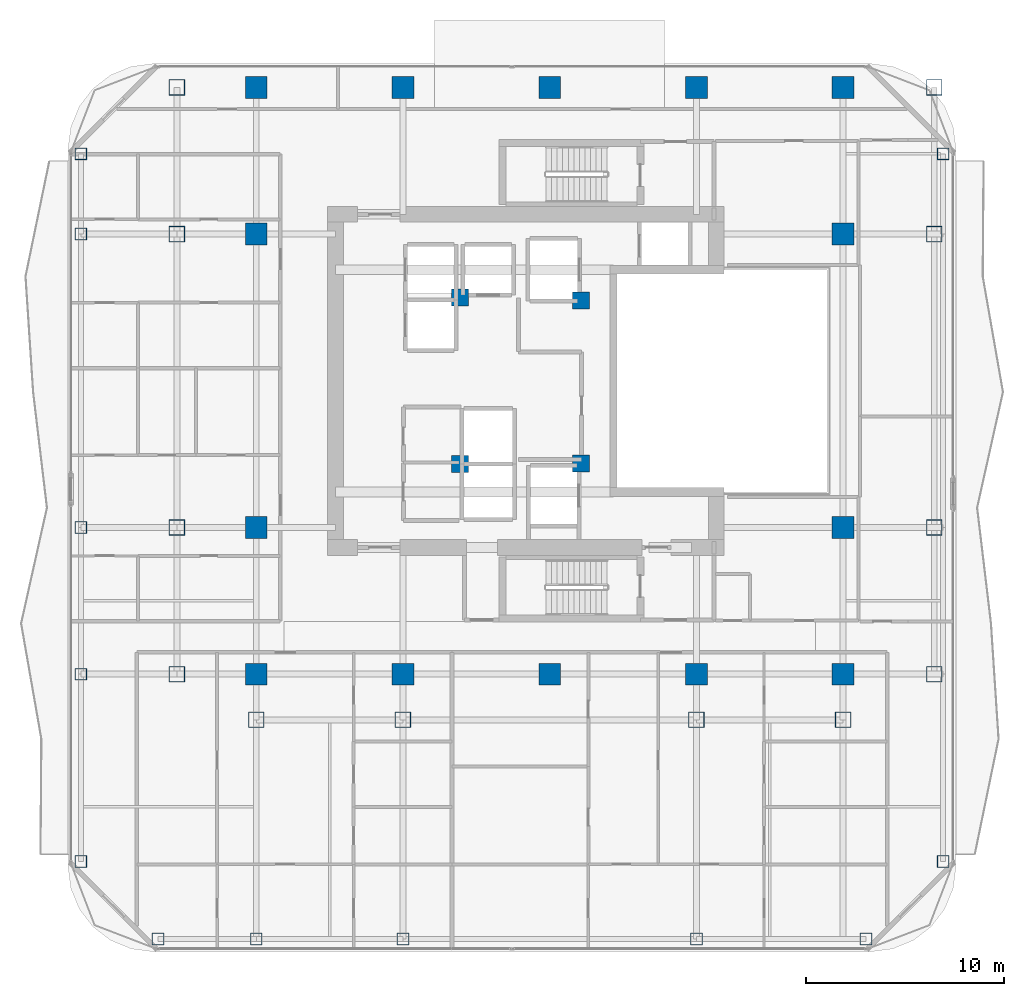
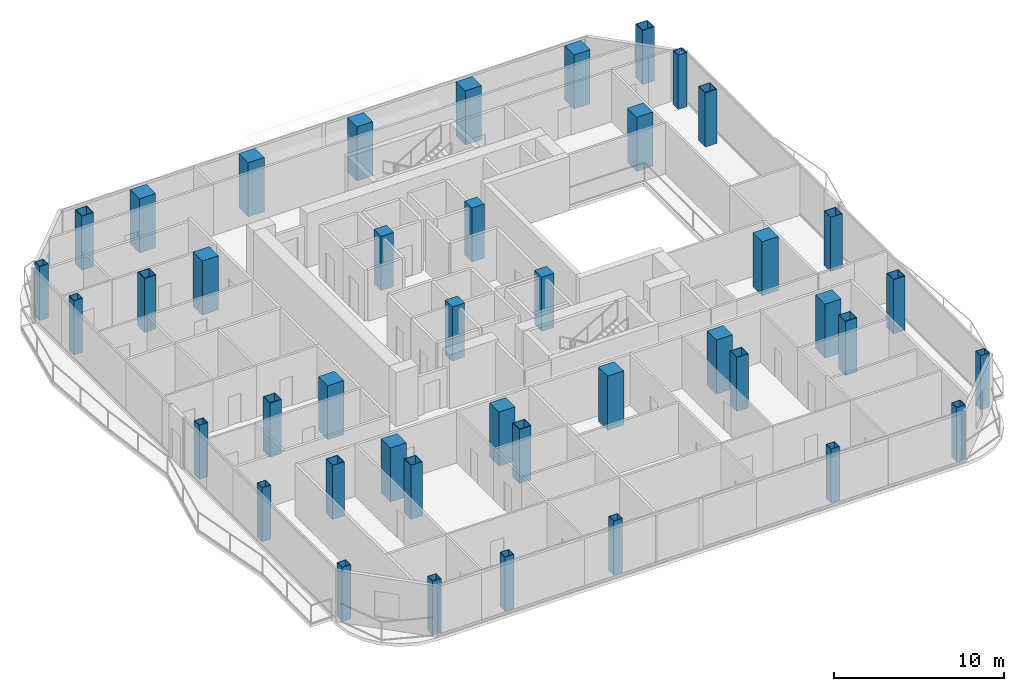
# One storey, part 1 of 23: 42 columns.
"""IFC4 building model written with IfcOpenShell, lengths in metres."""

from ifc_helpers import new_model, si_unit, direction, frame, origin, origin_2d, place, context, subcontext, project, spatial, rectangle, hollow_rectangle, extrude, material, material_profile, profile_set, type_object, element, save


model = new_model("IFC4")

# Units and contexts
model_context = context("Model", 3, precision=1e-05, world=origin(), true_north=direction((0.0, 1.0)))
body_context = subcontext(model_context, "Body", "Model", "MODEL_VIEW")
ifc_project = project(units=[si_unit("LENGTHUNIT", "METRE"), si_unit("AREAUNIT", "SQUARE_METRE"), si_unit("VOLUMEUNIT", "CUBIC_METRE"), si_unit("PLANEANGLEUNIT", "RADIAN"), si_unit("MASSUNIT", "GRAM", prefix="KILO")], contexts=[model_context])

# Site, building, storey
site_placement = place(None, origin())
site = spatial("IfcSite", under=ifc_project, at=site_placement, CompositionType="ELEMENT")
building_placement = place(site_placement, origin())
building = spatial("IfcBuilding", under=site, at=building_placement, Name="Khorvyn Point Tower", CompositionType="ELEMENT")
storey_placement = place(building_placement, frame((0.0, 0.0, 195.300048828125)))
storey = spatial("IfcBuildingStorey", under=building, at=storey_placement, Name="L48", CompositionType="ELEMENT", Elevation=195.300048828125)

# Columns
ifc_material_1 = material(Name="Concrete C40/50", Category="concrete")
ifc_material_profile_1 = material_profile(ifc_material_1, rectangle(XDim=0.85009765625, YDim=0.85009765625, at=origin_2d()))
ifc_profile_set_1 = profile_set([ifc_material_profile_1], Name="Concrete C40/50 RC850x850")
column_type_1 = type_object("IfcColumnType", Name="Concrete C40/50 Column RC850x850", PredefinedType="COLUMN", material=ifc_profile_set_1)
for number, where, z_axis, x_axis, name in (
    (1, (-4.52001953125, -4.199951171875, 0.0), (0.0, 0.0, 1.0), (1.0, 0.0, 0.0), "L48 Crown Core Spine Column 1"),
    (2, (1.580078125, -4.179931640625, 0.0), (0.0, 0.0, 1.0), (1.0, 0.0, 0.0), "L48 Crown Core Spine Column 2"),
    (3, (1.580078125, 4.050048828125, 0.0), (0.0, 0.0, 1.0), (1.0, 0.0, 0.0), "L48 Crown Core Spine Column 3"),
    (4, (-4.52001953125, 4.199951171875, 0.0), (0.0, 0.0, 1.0), (1.0, 0.0, 0.0), "L48 Crown Core Spine Column 4"),
):
    element("IfcColumn", number, at=place(storey_placement, frame(where, z_axis=z_axis, x_axis=x_axis)), inside=storey, type_object=column_type_1, Name=name, PredefinedType="COLUMN", context=body_context, shape_type="SweptSolid", body=[
        extrude(rectangle(XDim=0.85009765625, YDim=0.85009765625, at=origin_2d()), origin(), (0.0, 0.0, 1.0), 3.89990234375),
    ])
ifc_material_2 = material(Name="Concrete C45/55", Category="concrete")
ifc_material_profile_2 = material_profile(ifc_material_2, rectangle(XDim=1.10009765625, YDim=1.10009765625, at=origin_2d()))
ifc_profile_set_2 = profile_set([ifc_material_profile_2], Name="Concrete C45/55 RC1100x1100")
column_type_2 = type_object("IfcColumnType", Name="Concrete C45/55 Column RC1100x1100", PredefinedType="COLUMN", material=ifc_profile_set_2)
for number, where, z_axis, x_axis, name in (
    (5, (-14.800048828125, -14.800048828125, 0.0), (0.0, 0.0, 1.0), (1.0, 0.0, 0.0), "L48 Mega-Column MC-01"),
    (6, (-7.39990234375, -14.800048828125, 0.0), (0.0, 0.0, 1.0), (1.0, 0.0, 0.0), "L48 Mega-Column MC-02"),
    (7, (0.0, -14.800048828125, 0.0), (0.0, 0.0, 1.0), (1.0, 0.0, 0.0), "L48 Mega-Column MC-03"),
    (8, (7.39990234375, -14.800048828125, 0.0), (0.0, 0.0, 1.0), (1.0, 0.0, 0.0), "L48 Mega-Column MC-04"),
    (9, (14.800048828125, -14.800048828125, 0.0), (0.0, 0.0, 1.0), (1.0, 0.0, 0.0), "L48 Mega-Column MC-05"),
    (10, (-14.800048828125, 14.800048828125, 0.0), (0.0, 0.0, 1.0), (1.0, 0.0, 0.0), "L48 Mega-Column MC-06"),
    (11, (-7.39990234375, 14.800048828125, 0.0), (0.0, 0.0, 1.0), (1.0, 0.0, 0.0), "L48 Mega-Column MC-07"),
    (12, (0.0, 14.800048828125, 0.0), (0.0, 0.0, 1.0), (1.0, 0.0, 0.0), "L48 Mega-Column MC-08"),
    (13, (7.39990234375, 14.800048828125, 0.0), (0.0, 0.0, 1.0), (1.0, 0.0, 0.0), "L48 Mega-Column MC-09"),
    (14, (14.800048828125, 14.800048828125, 0.0), (0.0, 0.0, 1.0), (1.0, 0.0, 0.0), "L48 Mega-Column MC-10"),
    (15, (-14.800048828125, -7.39990234375, 0.0), (0.0, 0.0, 1.0), (1.0, 0.0, 0.0), "L48 Mega-Column MC-11"),
    (16, (-14.800048828125, 7.39990234375, 0.0), (0.0, 0.0, 1.0), (1.0, 0.0, 0.0), "L48 Mega-Column MC-12"),
    (17, (14.800048828125, -7.39990234375, 0.0), (0.0, 0.0, 1.0), (1.0, 0.0, 0.0), "L48 Mega-Column MC-13"),
    (18, (14.800048828125, 7.39990234375, 0.0), (0.0, 0.0, 1.0), (1.0, 0.0, 0.0), "L48 Mega-Column MC-14"),
):
    element("IfcColumn", number, at=place(storey_placement, frame(where, z_axis=z_axis, x_axis=x_axis)), inside=storey, type_object=column_type_2, Name=name, PredefinedType="COLUMN", context=body_context, shape_type="SweptSolid", body=[
        extrude(rectangle(XDim=1.10009765625, YDim=1.10009765625, at=origin_2d()), origin(), (0.0, 0.0, 1.0), 3.89990234375),
    ])
ifc_material_3 = material(Name="Steel S450", Category="steel")
ifc_material_profile_3 = material_profile(ifc_material_3, hollow_rectangle(XDim=0.60009765625, YDim=0.60009765625, WallThickness=0.028076171875, at=origin_2d()))
ifc_profile_set_3 = profile_set([ifc_material_profile_3], Name="Steel S450 BOX600x600x28")
column_type_3 = type_object("IfcColumnType", Name="Steel S450 Structural Column BOX600x600x28", PredefinedType="COLUMN", material=ifc_profile_set_3)
for number, where, z_axis, x_axis, name in (
    (19, (-19.75, -28.14990234375, 0.0), (0.0, 0.0, 1.0), (1.0, 0.0, 0.0), "L48 Perimeter Tube Column TC-01"),
    (20, (15.949951171875, -28.14990234375, 0.0), (0.0, 0.0, 1.0), (1.0, 0.0, 0.0), "L48 Perimeter Tube Column TC-02"),
    (21, (-23.64990234375, -24.25, 0.0), (0.0, 0.0, 1.0), (1.0, 0.0, 0.0), "L48 Perimeter Tube Column TC-03"),
    (22, (-23.64990234375, 11.449951171875, 0.0), (0.0, 0.0, 1.0), (1.0, 0.0, 0.0), "L48 Perimeter Tube Column TC-04"),
    (23, (19.85009765625, -24.25, 0.0), (0.0, 0.0, 1.0), (1.0, 0.0, 0.0), "L48 Perimeter Tube Column TC-05"),
    (24, (19.85009765625, 11.449951171875, 0.0), (0.0, 0.0, 1.0), (1.0, 0.0, 0.0), "L48 Perimeter Tube Column TC-06"),
    (25, (-14.800048828125, -28.14990234375, 0.0), (0.0, 0.0, 1.0), (1.0, 0.0, 0.0), "L48 Perimeter Tube Column TC-07"),
    (26, (-7.39990234375, -28.14990234375, 0.0), (0.0, 0.0, 1.0), (1.0, 0.0, 0.0), "L48 Perimeter Tube Column TC-08"),
    (27, (7.39990234375, -28.14990234375, 0.0), (0.0, 0.0, 1.0), (1.0, 0.0, 0.0), "L48 Perimeter Tube Column TC-09"),
    (28, (-23.64990234375, -14.800048828125, 0.0), (0.0, 0.0, 1.0), (1.0, 0.0, 0.0), "L48 Perimeter Tube Column TC-10"),
    (29, (-23.64990234375, -7.39990234375, 0.0), (0.0, 0.0, 1.0), (1.0, 0.0, 0.0), "L48 Perimeter Tube Column TC-11"),
    (30, (-23.64990234375, 7.39990234375, 0.0), (0.0, 0.0, 1.0), (1.0, 0.0, 0.0), "L48 Perimeter Tube Column TC-12"),
):
    element("IfcColumn", number, at=place(storey_placement, frame(where, z_axis=z_axis, x_axis=x_axis)), inside=storey, type_object=column_type_3, Name=name, PredefinedType="COLUMN", context=body_context, shape_type="SweptSolid", body=[
        extrude(hollow_rectangle(XDim=0.60009765625, YDim=0.60009765625, WallThickness=0.028076171875, at=origin_2d()), origin(), (0.0, 0.0, 1.0), 3.89990234375),
    ])
ifc_material_profile_4 = material_profile(ifc_material_3, hollow_rectangle(XDim=0.800048828125, YDim=0.800048828125, WallThickness=0.035888671875, at=origin_2d()))
ifc_profile_set_4 = profile_set([ifc_material_profile_4], Name="Steel S450 BOX800x800x36")
column_type_4 = type_object("IfcColumnType", Name="Steel S450 Structural Column BOX800x800x36", PredefinedType="COLUMN", material=ifc_profile_set_4)
for number, where, z_axis, x_axis, name in (
    (31, (-18.800048828125, -14.800048828125, 0.0), (0.0, 0.0, 1.0), (1.0, 0.0, 0.0), "L48 Intermediate Column ICW--14"),
    (32, (-18.800048828125, -7.39990234375, 0.0), (0.0, 0.0, 1.0), (1.0, 0.0, 0.0), "L48 Intermediate Column ICW--7"),
    (33, (-18.800048828125, 7.39990234375, 0.0), (0.0, 0.0, 1.0), (1.0, 0.0, 0.0), "L48 Intermediate Column ICW-7"),
    (34, (-18.800048828125, 14.800048828125, 0.0), (0.0, 0.0, 1.0), (1.0, 0.0, 0.0), "L48 Intermediate Column ICW-14"),
    (35, (19.39990234375, -14.800048828125, 0.0), (0.0, 0.0, 1.0), (1.0, 0.0, 0.0), "L48 Intermediate Column ICE--14"),
    (36, (19.39990234375, -7.39990234375, 0.0), (0.0, 0.0, 1.0), (1.0, 0.0, 0.0), "L48 Intermediate Column ICE--7"),
    (37, (19.39990234375, 7.39990234375, 0.0), (0.0, 0.0, 1.0), (1.0, 0.0, 0.0), "L48 Intermediate Column ICE-7"),
    (38, (19.39990234375, 14.800048828125, 0.0), (0.0, 0.0, 1.0), (1.0, 0.0, 0.0), "L48 Intermediate Column ICE-14"),
    (39, (-14.800048828125, -17.10009765625, 0.0), (0.0, 0.0, 1.0), (1.0, 0.0, 0.0), "L48 Intermediate Column ICS--14"),
    (40, (-7.39990234375, -17.10009765625, 0.0), (0.0, 0.0, 1.0), (1.0, 0.0, 0.0), "L48 Intermediate Column ICS--7"),
    (41, (7.39990234375, -17.10009765625, 0.0), (0.0, 0.0, 1.0), (1.0, 0.0, 0.0), "L48 Intermediate Column ICS-7"),
    (42, (14.800048828125, -17.10009765625, 0.0), (0.0, 0.0, 1.0), (1.0, 0.0, 0.0), "L48 Intermediate Column ICS-14"),
):
    element("IfcColumn", number, at=place(storey_placement, frame(where, z_axis=z_axis, x_axis=x_axis)), inside=storey, type_object=column_type_4, Name=name, PredefinedType="COLUMN", context=body_context, shape_type="SweptSolid", body=[
        extrude(hollow_rectangle(XDim=0.800048828125, YDim=0.800048828125, WallThickness=0.035888671875, at=origin_2d()), origin(), (0.0, 0.0, 1.0), 3.89990234375),
    ])

save(model, "model.ifc")
